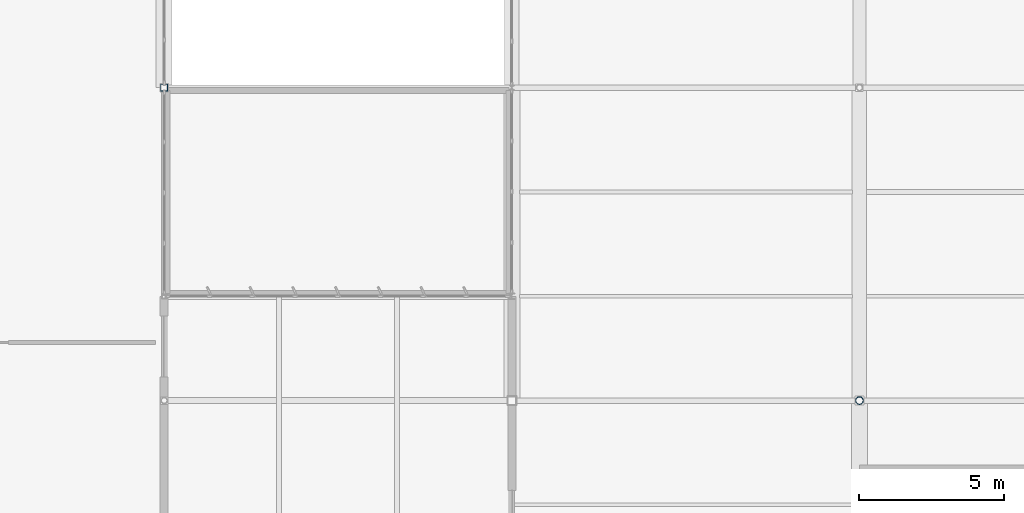
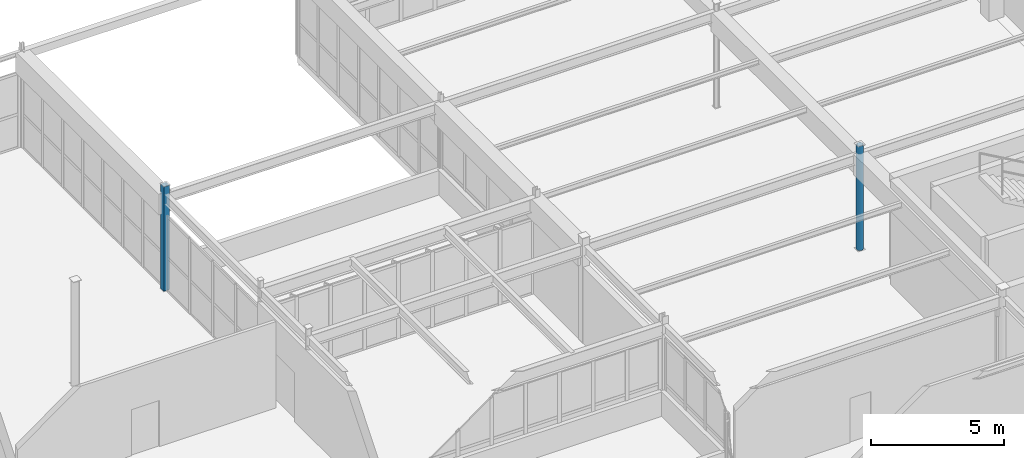
# One storey, part 55 of 226: 2 columns.
"""IFC4 building model written with IfcOpenShell, lengths in metres."""

from ifc_helpers import new_model, si_unit, direction, frame, origin, origin_2d, place, context, subcontext, project, spatial, hollow_rectangle, hollow_circle, extrude, material, material_profile, profile_set, type_object, element, save


model = new_model("IFC4")

# Units and contexts
model_context = context("Model", 3, precision=1e-05, world=origin(), true_north=direction((0.0, 1.0)))
body_context = subcontext(model_context, "Body", "Model", "MODEL_VIEW")
ifc_project = project(units=[si_unit("LENGTHUNIT", "METRE"), si_unit("AREAUNIT", "SQUARE_METRE"), si_unit("VOLUMEUNIT", "CUBIC_METRE"), si_unit("PLANEANGLEUNIT", "RADIAN"), si_unit("MASSUNIT", "GRAM", prefix="KILO")], contexts=[model_context])

# Site, building, storey
site_placement = place(None, origin())
site = spatial("IfcSite", under=ifc_project, at=site_placement, CompositionType="ELEMENT")
building_placement = place(site_placement, origin())
building = spatial("IfcBuilding", under=site, at=building_placement, Name="Tarnwether General Hospital", CompositionType="ELEMENT")
storey_placement = place(building_placement, frame((0.0, 0.0, 4.800048828125)))
storey = spatial("IfcBuildingStorey", under=building, at=storey_placement, Name="L01", CompositionType="ELEMENT", Elevation=4.800048828125)

# Columns
ifc_material_1 = material(Name="Steel Grade C350L0 (350 MPa)", Category="steel")
ifc_material_profile_1 = material_profile(ifc_material_1, hollow_circle(Radius=0.136474609375, WallThickness=0.0126953125, at=origin_2d()), Name="CHS273.1x12.7")
ifc_profile_set_1 = profile_set([ifc_material_profile_1], Name="Steel Grade C350L0 (350 MPa)")
column_type_1 = type_object("IfcColumnType", Name="COL-12", PredefinedType="COLUMN", material=ifc_profile_set_1)
column_1_placement = place(storey_placement, frame((156.0, 104.39990234375, 0.0), z_axis=(0.0, 0.0, 1.0), x_axis=(0.0, 1.0, 0.0)))
element("IfcColumn", 1, at=column_1_placement, inside=storey, type_object=column_type_1, Name="Column COLG-L01-15600_10440", PredefinedType="COLUMN", context=body_context, shape_type="SweptSolid", body=[
    extrude(hollow_circle(Radius=0.136474609375, WallThickness=0.0126953125, at=origin_2d()), origin(), (0.0, 0.0, 1.0), 4.800048828125),
])
ifc_material_2 = material(Name="Steel Grade C350L0 (350 MPa)", Category="steel")
ifc_material_profile_2 = material_profile(ifc_material_2, hollow_rectangle(XDim=0.25, YDim=0.25, WallThickness=0.012451171875, at=origin_2d()), Name="SHS250x250x12.5")
ifc_profile_set_2 = profile_set([ifc_material_profile_2], Name="Steel Grade C350L0 (350 MPa)")
column_type_2 = type_object("IfcColumnType", Name="COL-14", PredefinedType="COLUMN", material=ifc_profile_set_2)
column_2_placement = place(storey_placement, frame((132.0, 115.199951171875, 0.0), z_axis=(0.0, 0.0, 1.0), x_axis=(0.0, 1.0, 0.0)))
element("IfcColumn", 2, at=column_2_placement, inside=storey, type_object=column_type_2, Name="Column COLG-L01-13200_11520", PredefinedType="COLUMN", context=body_context, shape_type="SweptSolid", body=[
    extrude(hollow_rectangle(XDim=0.25, YDim=0.25, WallThickness=0.012451171875, at=origin_2d()), origin(), (0.0, 0.0, 1.0), 4.800048828125),
])

save(model, "model.ifc")
